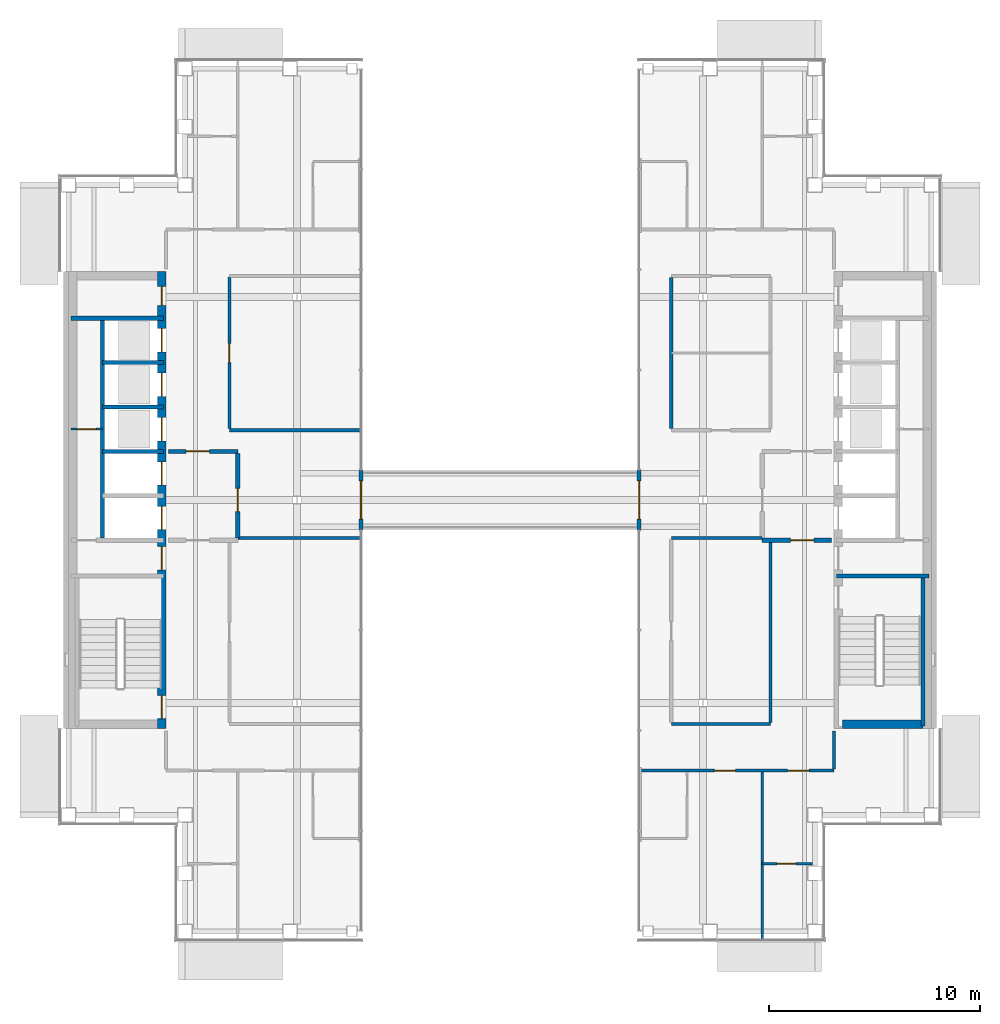
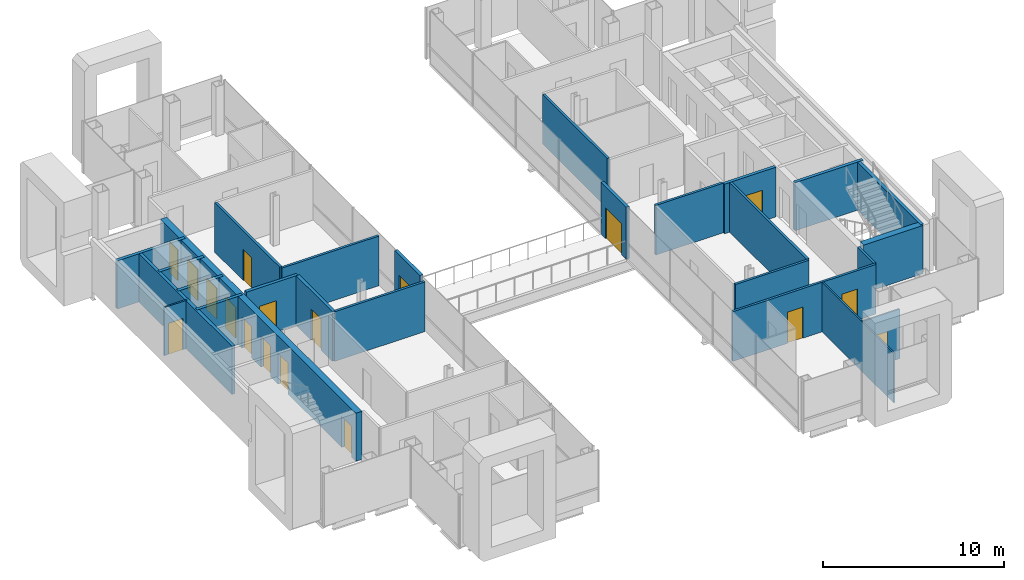
# One storey, part 11 of 17: 26 walls, 18 doors, 18 openings.
"""IFC4 building model written with IfcOpenShell, lengths in metres."""

from ifc_helpers import new_model, si_unit, direction, frame, frame_2d, origin, place, context, subcontext, project, spatial, rectangle, extrude, material, layer, layer_set, type_object, element, fill, save


model = new_model("IFC4")

# Units and contexts
model_context = context("Model", 3, precision=1e-05, world=origin(), true_north=direction((0.0, 1.0)))
body_context = subcontext(model_context, "Body", "Model", "MODEL_VIEW")
ifc_project = project(units=[si_unit("LENGTHUNIT", "METRE"), si_unit("AREAUNIT", "SQUARE_METRE"), si_unit("VOLUMEUNIT", "CUBIC_METRE"), si_unit("PLANEANGLEUNIT", "RADIAN"), si_unit("MASSUNIT", "GRAM", prefix="KILO")], contexts=[model_context])

# Site, building, storey
site_placement = place(None, origin())
site = spatial("IfcSite", under=ifc_project, at=site_placement, CompositionType="ELEMENT")
building_placement = place(site_placement, origin())
building = spatial("IfcBuilding", under=site, at=building_placement, Name="Cobrizo Arcos Hotel Tower", CompositionType="ELEMENT")
storey_placement = place(building_placement, frame((0.0, 0.0, 226.0)))
storey = spatial("IfcBuildingStorey", under=building, at=storey_placement, Name="L59", CompositionType="ELEMENT", Elevation=226.0)

# Wall, openings, doors
ifc_material_1 = material(Name="Gypsum board partition")
ifc_layer_1 = layer(ifc_material_1, 0.14990234375)
ifc_layer_set_1 = layer_set([ifc_layer_1], Name="Corridor wall EI 60 150")
wall_type_1 = type_object("IfcWallType", Name="Corridor wall EI 60 150", PredefinedType="PARTITIONING", material=ifc_layer_set_1)
wall_1_placement = place(storey_placement, frame((6.64990234375, -12.800048828125, 0.0), z_axis=(0.0, 0.0, 1.0), x_axis=(1.0, 0.0, 0.0)))
wall_1 = element("IfcWall", 1, at=wall_1_placement, inside=storey, type_object=wall_type_1, Name="Partition 006", PredefinedType="PARTITIONING", context=body_context, shape_type="SweptSolid", body=[
    extrude(rectangle(XDim=9.150146484375, YDim=0.14990234375, at=frame_2d((4.5751953125, 0.0))), origin(), (0.0, 0.0, 1.0), 3.35009765625),
])
opening_1_placement = place(wall_1_placement, frame((3.48291015625, 0.0, 0.0)))
opening_1 = element("IfcOpeningElement", 2, at=opening_1_placement, cuts=wall_1, Name="Opening GD-03", PredefinedType="OPENING", context=body_context, shape_type="SweptSolid", body=[
    extrude(rectangle(XDim=1.0, YDim=2.10009765625, at=frame_2d((0.5, 1.050048828125))), frame((0.0, 0.0869140625, 0.0), z_axis=(0.0, -1.0, 0.0), x_axis=(1.0, 0.0, 0.0)), (0.0, 0.0, 1.0), 0.173828125),
])
opening_2_placement = place(wall_1_placement, frame((6.9580078125, 0.0, 0.0)))
opening_2 = element("IfcOpeningElement", 3, at=opening_2_placement, cuts=wall_1, Name="Opening GD-07", PredefinedType="OPENING", context=body_context, shape_type="SweptSolid", body=[
    extrude(rectangle(XDim=1.0, YDim=2.10009765625, at=frame_2d((0.5, 1.050048828125))), frame((0.0, 0.0869140625, 0.0), z_axis=(0.0, -1.0, 0.0), x_axis=(1.0, 0.0, 0.0)), (0.0, 0.0, 1.0), 0.173828125),
])
ifc_material_2 = material(Name="Timber door leaf", Category="wood")
door_type_1 = type_object("IfcDoorType", Name="Guest room door FD30S 1000x2100", OperationType="SINGLE_SWING_LEFT", PredefinedType="DOOR", material=ifc_material_2)
door_1_placement = place(opening_1_placement, origin())
door_1 = element("IfcDoor", 4, at=door_1_placement, inside=storey, type_object=door_type_1, Name="Door GD-03", OperationType="SINGLE_SWING_RIGHT", OverallHeight=2.10009765625, OverallWidth=1.0, PredefinedType="DOOR", context=body_context, shape_type="SweptSolid", body=[
    extrude(rectangle(XDim=1.0, YDim=2.10009765625, at=frame_2d((0.5, 1.050048828125))), frame((0.0, 0.02490234375, 0.0), z_axis=(0.0, -1.0, 0.0), x_axis=(1.0, 0.0, 0.0)), (0.0, 0.0, 1.0), 0.050048828125),
])
fill(opening_1, door_1)
door_2_placement = place(opening_2_placement, origin())
door_2 = element("IfcDoor", 5, at=door_2_placement, inside=storey, type_object=door_type_1, Name="Door GD-07", OperationType="SINGLE_SWING_LEFT", OverallHeight=2.10009765625, OverallWidth=1.0, PredefinedType="DOOR", context=body_context, shape_type="SweptSolid", body=[
    extrude(rectangle(XDim=1.0, YDim=2.10009765625, at=frame_2d((0.5, 1.050048828125))), frame((0.0, 0.02490234375, 0.0), z_axis=(0.0, -1.0, 0.0), x_axis=(1.0, 0.0, 0.0)), (0.0, 0.0, 1.0), 0.050048828125),
])
fill(opening_2, door_2)

# Walls
wall_2_placement = place(storey_placement, frame((8.10009765625, -10.60009765625, 0.0), z_axis=(0.0, 0.0, 1.0), x_axis=(1.0, 0.0, 0.0)))
element("IfcWall", 6, at=wall_2_placement, inside=storey, type_object=wall_type_1, Name="Partition 008", PredefinedType="PARTITIONING", context=body_context, shape_type="SweptSolid", body=[
    extrude(rectangle(XDim=4.699951171875, YDim=0.14990234375, at=frame_2d((2.35009765625, 0.0))), origin(), (0.0, 0.0, 1.0), 3.35009765625),
])
wall_3_placement = place(storey_placement, frame((-12.39990234375, -1.800048828125, 0.0), z_axis=(0.0, 0.0, 1.0), x_axis=(1.0, 0.0, 0.0)))
element("IfcWall", 7, at=wall_3_placement, inside=storey, type_object=wall_type_1, Name="Partition 015", PredefinedType="PARTITIONING", context=body_context, shape_type="SweptSolid", body=[
    extrude(rectangle(XDim=5.77978515625, YDim=0.14990234375, at=frame_2d((2.889892578125, 0.0))), origin(), (0.0, 0.0, 1.0), 3.35009765625),
])
wall_4_placement = place(storey_placement, frame((8.10009765625, -1.800048828125, 0.0), z_axis=(0.0, 0.0, 1.0), x_axis=(1.0, 0.0, 0.0)))
element("IfcWall", 8, at=wall_4_placement, inside=storey, type_object=wall_type_1, Name="Partition 016", PredefinedType="PARTITIONING", context=body_context, shape_type="SweptSolid", body=[
    extrude(rectangle(XDim=4.2998046875, YDim=0.14990234375, at=frame_2d((2.14990234375, 0.0))), origin(), (0.0, 0.0, 1.0), 3.35009765625),
])
wall_5_placement = place(storey_placement, frame((-12.800048828125, 3.300048828125, 0.0), z_axis=(0.0, 0.0, 1.0), x_axis=(1.0, 0.0, 0.0)))
element("IfcWall", 9, at=wall_5_placement, inside=storey, type_object=wall_type_1, Name="Partition 023", PredefinedType="PARTITIONING", context=body_context, shape_type="SweptSolid", body=[
    extrude(rectangle(XDim=6.179931640625, YDim=0.14990234375, at=frame_2d((3.08984375, 0.0))), origin(), (0.0, 0.0, 1.0), 3.35009765625),
])

# Wall, opening, door
wall_6_placement = place(storey_placement, frame((-12.800048828125, 3.375, 0.0), z_axis=(0.0, 0.0, 1.0), x_axis=(0.0, 1.0, 0.0)))
wall_6 = element("IfcWall", 10, at=wall_6_placement, inside=storey, type_object=wall_type_1, Name="Partition 047", PredefinedType="PARTITIONING", context=body_context, shape_type="SweptSolid", body=[
    extrude(rectangle(XDim=7.175048828125, YDim=0.14990234375, at=frame_2d((3.58740234375, 0.0))), origin(), (0.0, 0.0, 1.0), 3.35009765625),
])
opening_3_placement = place(wall_6_placement, frame((3.125, 0.0, 0.0)))
opening_3 = element("IfcOpeningElement", 11, at=opening_3_placement, cuts=wall_6, Name="Opening RD-08", PredefinedType="OPENING", context=body_context, shape_type="SweptSolid", body=[
    extrude(rectangle(XDim=0.89990234375, YDim=2.10009765625, at=frame_2d((0.449951171875, 1.050048828125))), frame((0.0, 0.0869140625, 0.0), z_axis=(0.0, -1.0, 0.0), x_axis=(1.0, 0.0, 0.0)), (0.0, 0.0, 1.0), 0.173828125),
])
door_type_2 = type_object("IfcDoorType", Name="Room door FD30 900x2100", OperationType="SINGLE_SWING_LEFT", PredefinedType="DOOR", material=ifc_material_2)
door_3_placement = place(opening_3_placement, origin())
door_3 = element("IfcDoor", 12, at=door_3_placement, inside=storey, type_object=door_type_2, Name="Door RD-08", OperationType="SINGLE_SWING_RIGHT", OverallHeight=2.10009765625, OverallWidth=0.89990234375, PredefinedType="DOOR", context=body_context, shape_type="SweptSolid", body=[
    extrude(rectangle(XDim=0.89990234375, YDim=2.10009765625, at=frame_2d((0.449951171875, 1.050048828125))), frame((0.0, 0.02490234375, 0.0), z_axis=(0.0, -1.0, 0.0), x_axis=(1.0, 0.0, 0.0)), (0.0, 0.0, 1.0), 0.050048828125),
])
fill(opening_3, door_3)

# Walls
wall_7_placement = place(storey_placement, frame((8.10009765625, 3.375, 0.0), z_axis=(0.0, 0.0, 1.0), x_axis=(0.0, 1.0, 0.0)))
element("IfcWall", 13, at=wall_7_placement, inside=storey, type_object=wall_type_1, Name="Partition 058", PredefinedType="PARTITIONING", context=body_context, shape_type="SweptSolid", body=[
    extrude(rectangle(XDim=7.14990234375, YDim=0.14990234375, at=frame_2d((3.574951171875, 0.0))), origin(), (0.0, 0.0, 1.0), 3.35009765625),
])
wall_8_placement = place(storey_placement, frame((12.800048828125, -10.52490234375, 0.0), z_axis=(0.0, 0.0, 1.0), x_axis=(0.0, 1.0, 0.0)))
element("IfcWall", 14, at=wall_8_placement, inside=storey, type_object=wall_type_1, Name="Partition 064", PredefinedType="PARTITIONING", context=body_context, shape_type="SweptSolid", body=[
    extrude(rectangle(XDim=8.52490234375, YDim=0.14990234375, at=frame_2d((4.262451171875, 0.0))), origin(), (0.0, 0.0, 1.0), 3.35009765625),
])
wall_9_placement = place(storey_placement, frame((15.800048828125, -12.72509765625, 0.0), z_axis=(0.0, 0.0, 1.0), x_axis=(0.0, 1.0, 0.0)))
element("IfcWall", 15, at=wall_9_placement, inside=storey, type_object=wall_type_1, Name="Partition 066", PredefinedType="PARTITIONING", context=body_context, shape_type="SweptSolid", body=[
    extrude(rectangle(XDim=1.80517578125, YDim=0.14990234375, at=frame_2d((0.902587890625, 0.0))), origin(), (0.0, 0.0, 1.0), 3.35009765625),
])

# Wall, opening, door
ifc_material_3 = material(Name="Aluminium 6063-T6 anodised pale", Category="aluminium")
ifc_layer_2 = layer(ifc_material_3, 0.199951171875)
ifc_layer_set_2 = layer_set([ifc_layer_2], Name="EW-4 sky bridge door frame wall")
wall_type_2 = type_object("IfcWallType", Name="EW-4 sky bridge door frame wall", PredefinedType="SOLIDWALL", material=ifc_layer_set_2)
wall_10_placement = place(storey_placement, frame((6.574951171875, -1.39990234375, 0.0), z_axis=(0.0, 0.0, 1.0), x_axis=(0.0, 1.0, 0.0)))
wall_10 = element("IfcWall", 16, at=wall_10_placement, inside=storey, type_object=wall_type_2, Name="Sky bridge door wall C E", PredefinedType="SOLIDWALL", context=body_context, shape_type="SweptSolid", body=[
    extrude(rectangle(XDim=2.7998046875, YDim=0.199951171875, at=frame_2d((1.39990234375, 0.0))), origin(), (0.0, 0.0, 1.0), 3.5),
])
opening_4_placement = place(wall_10_placement, frame((0.5, 0.0, 0.0)))
opening_4 = element("IfcOpeningElement", 17, at=opening_4_placement, cuts=wall_10, Name="Opening E-60", PredefinedType="OPENING", context=body_context, shape_type="SweptSolid", body=[
    extrude(rectangle(XDim=1.800048828125, YDim=2.10009765625, at=frame_2d((0.89990234375, 1.050048828125))), frame((0.0, 0.112060546875, 0.0), z_axis=(0.0, -1.0, 0.0), x_axis=(1.0, 0.0, 0.0)), (0.0, 0.0, 1.0), 0.223876953125),
])
ifc_material_4 = material(Name="Aluminium 6063-T6 and clear laminated glass", Category="aluminium")
door_type_3 = type_object("IfcDoorType", Name="D-B1 sky bridge double door 1800x2100", OperationType="DOUBLE_DOOR_DOUBLE_SWING", PredefinedType="DOOR", material=ifc_material_4)
door_4_placement = place(opening_4_placement, origin())
door_4 = element("IfcDoor", 18, at=door_4_placement, inside=storey, type_object=door_type_3, Name="Sky bridge door wall C E door E-60", OperationType="DOUBLE_DOOR_DOUBLE_SWING", OverallHeight=2.10009765625, OverallWidth=1.800048828125, PredefinedType="DOOR", context=body_context, shape_type="SweptSolid", body=[
    extrude(rectangle(XDim=1.800048828125, YDim=2.10009765625, at=frame_2d((0.89990234375, 1.050048828125))), frame((0.0, 0.02490234375, 0.0), z_axis=(0.0, -1.0, 0.0), x_axis=(1.0, 0.0, 0.0)), (0.0, 0.0, 1.0), 0.050048828125),
])
fill(opening_4, door_4)

wall_11_placement = place(storey_placement, frame((-6.574951171875, -1.39990234375, 0.0), z_axis=(0.0, 0.0, 1.0), x_axis=(0.0, 1.0, 0.0)))
wall_11 = element("IfcWall", 19, at=wall_11_placement, inside=storey, type_object=wall_type_2, Name="Sky bridge door wall C W", PredefinedType="SOLIDWALL", context=body_context, shape_type="SweptSolid", body=[
    extrude(rectangle(XDim=2.7998046875, YDim=0.199951171875, at=frame_2d((1.39990234375, 0.0))), origin(), (0.0, 0.0, 1.0), 3.5),
])
opening_5_placement = place(wall_11_placement, frame((0.5, 0.0, 0.0)))
opening_5 = element("IfcOpeningElement", 20, at=opening_5_placement, cuts=wall_11, Name="Opening E-61", PredefinedType="OPENING", context=body_context, shape_type="SweptSolid", body=[
    extrude(rectangle(XDim=1.800048828125, YDim=2.10009765625, at=frame_2d((0.89990234375, 1.050048828125))), frame((0.0, 0.112060546875, 0.0), z_axis=(0.0, -1.0, 0.0), x_axis=(1.0, 0.0, 0.0)), (0.0, 0.0, 1.0), 0.223876953125),
])
door_5_placement = place(opening_5_placement, origin())
door_5 = element("IfcDoor", 21, at=door_5_placement, inside=storey, type_object=door_type_3, Name="Sky bridge door wall C W door E-61", OperationType="DOUBLE_DOOR_DOUBLE_SWING", OverallHeight=2.10009765625, OverallWidth=1.800048828125, PredefinedType="DOOR", context=body_context, shape_type="SweptSolid", body=[
    extrude(rectangle(XDim=1.800048828125, YDim=2.10009765625, at=frame_2d((0.89990234375, 1.050048828125))), frame((0.0, 0.02490234375, 0.0), z_axis=(0.0, -1.0, 0.0), x_axis=(1.0, 0.0, 0.0)), (0.0, 0.0, 1.0), 0.050048828125),
])
fill(opening_5, door_5)

ifc_layer_3 = layer(ifc_material_1, 0.10009765625)
ifc_layer_set_3 = layer_set([ifc_layer_3], Name="Partition EI 30 100")
wall_type_3 = type_object("IfcWallType", Name="Partition EI 30 100", PredefinedType="PARTITIONING", material=ifc_layer_set_3)
wall_12_placement = place(storey_placement, frame((12.39990234375, -17.199951171875, 0.0), z_axis=(0.0, 0.0, 1.0), x_axis=(1.0, 0.0, 0.0)))
wall_12 = element("IfcWall", 22, at=wall_12_placement, inside=storey, type_object=wall_type_3, Name="Partition 002", PredefinedType="PARTITIONING", context=body_context, shape_type="SweptSolid", body=[
    extrude(rectangle(XDim=2.380126953125, YDim=0.10009765625, at=frame_2d((1.18994140625, 0.0))), origin(), (0.0, 0.0, 1.0), 3.35009765625),
])
opening_6_placement = place(wall_12_placement, frame((0.705078125, 0.0, 0.0)))
opening_6 = element("IfcOpeningElement", 23, at=opening_6_placement, cuts=wall_12, Name="Opening ED-07", PredefinedType="OPENING", context=body_context, shape_type="SweptSolid", body=[
    extrude(rectangle(XDim=0.89990234375, YDim=2.10009765625, at=frame_2d((0.449951171875, 1.050048828125))), frame((0.0, 0.06201171875, 0.0), z_axis=(0.0, -1.0, 0.0), x_axis=(1.0, 0.0, 0.0)), (0.0, 0.0, 1.0), 0.1240234375),
])
door_type_4 = type_object("IfcDoorType", Name="En-suite door 900x2100", OperationType="SINGLE_SWING_LEFT", PredefinedType="DOOR", material=ifc_material_2)
door_6_placement = place(opening_6_placement, origin())
door_6 = element("IfcDoor", 24, at=door_6_placement, inside=storey, type_object=door_type_4, Name="Door ED-07", OperationType="SINGLE_SWING_RIGHT", OverallHeight=2.10009765625, OverallWidth=0.89990234375, PredefinedType="DOOR", context=body_context, shape_type="SweptSolid", body=[
    extrude(rectangle(XDim=0.89990234375, YDim=2.10009765625, at=frame_2d((0.449951171875, 1.050048828125))), frame((0.0, 0.02490234375, 0.0), z_axis=(0.0, -1.0, 0.0), x_axis=(1.0, 0.0, 0.0)), (0.0, 0.0, 1.0), 0.050048828125),
])
fill(opening_6, door_6)

wall_13_placement = place(storey_placement, frame((-20.280029296875, 3.35009765625, 0.0), z_axis=(0.0, 0.0, 1.0), x_axis=(1.0, 0.0, 0.0)))
wall_13 = element("IfcWall", 25, at=wall_13_placement, inside=storey, type_object=wall_type_3, Name="Partition 025", PredefinedType="PARTITIONING", context=body_context, shape_type="SweptSolid", body=[
    extrude(rectangle(XDim=1.47998046875, YDim=0.10009765625, at=frame_2d((0.739990234375, 0.0))), origin(), (0.0, 0.0, 1.0), 3.25),
])
opening_7_placement = place(wall_13_placement, frame((0.280029296875, 0.0, 0.0)))
opening_7 = element("IfcOpeningElement", 26, at=opening_7_placement, cuts=wall_13, Name="Opening RD-03", PredefinedType="OPENING", context=body_context, shape_type="SweptSolid", body=[
    extrude(rectangle(XDim=0.89990234375, YDim=2.10009765625, at=frame_2d((0.449951171875, 1.050048828125))), frame((0.0, 0.06201171875, 0.0), z_axis=(0.0, -1.0, 0.0), x_axis=(1.0, 0.0, 0.0)), (0.0, 0.0, 1.0), 0.1240234375),
])
door_7_placement = place(opening_7_placement, origin())
door_7 = element("IfcDoor", 27, at=door_7_placement, inside=storey, type_object=door_type_2, Name="Door RD-03", OperationType="SINGLE_SWING_LEFT", OverallHeight=2.10009765625, OverallWidth=0.89990234375, PredefinedType="DOOR", context=body_context, shape_type="SweptSolid", body=[
    extrude(rectangle(XDim=0.89990234375, YDim=2.10009765625, at=frame_2d((0.449951171875, 1.050048828125))), frame((0.0, 0.02490234375, 0.0), z_axis=(0.0, -1.0, 0.0), x_axis=(1.0, 0.0, 0.0)), (0.0, 0.0, 1.0), 0.050048828125),
])
fill(opening_7, door_7)

# Walls
wall_14_placement = place(storey_placement, frame((12.39990234375, -20.780029296875, 0.0), z_axis=(0.0, 0.0, 1.0), x_axis=(0.0, 1.0, 0.0)))
element("IfcWall", 28, at=wall_14_placement, inside=storey, type_object=wall_type_3, Name="Partition 061", PredefinedType="PARTITIONING", context=body_context, shape_type="SweptSolid", body=[
    extrude(rectangle(XDim=7.905029296875, YDim=0.10009765625, at=frame_2d((3.95263671875, 0.0))), origin(), (0.0, 0.0, 1.0), 3.35009765625),
])
ifc_material_5 = material(Name="Concrete f'c 40 MPa", Category="concrete")
ifc_layer_4 = layer(ifc_material_5, 0.39990234375)
ifc_layer_set_4 = layer_set([ifc_layer_4], Name="RC core wall 400 f'c 40")
wall_type_4 = type_object("IfcWallType", Name="RC core wall 400 f'c 40", PredefinedType="SHEAR", material=ifc_layer_set_4)
wall_15_placement = place(storey_placement, frame((16.199951171875, -10.60009765625, 0.0), z_axis=(0.0, 0.0, 1.0), x_axis=(1.0, 0.0, 0.0)))
element("IfcWall", 29, at=wall_15_placement, inside=storey, type_object=wall_type_4, Name="Core wall CW4, east core, south end, L59", PredefinedType="SHEAR", context=body_context, shape_type="SweptSolid", body=[
    extrude(rectangle(XDim=3.800048828125, YDim=0.39990234375, at=frame_2d((1.89990234375, 0.0))), origin(), (0.0, 0.0, 1.0), 3.25),
])

# Wall, openings, doors
wall_16_placement = place(storey_placement, frame((-16.0, -10.800048828125, 0.0), z_axis=(0.0, 0.0, 1.0), x_axis=(0.0, 1.0, 0.0)))
wall_16 = element("IfcWall", 30, at=wall_16_placement, inside=storey, type_object=wall_type_4, Name="Core wall CW4, west core, inner face, L59", PredefinedType="SHEAR", context=body_context, shape_type="SweptSolid", body=[
    extrude(rectangle(XDim=21.60009765625, YDim=0.39990234375, at=frame_2d((10.800048828125, 0.0))), origin(), (0.0, 0.0, 1.0), 3.25),
])
opening_8_placement = place(wall_16_placement, frame((9.39990234375, 0.0, 0.0)))
opening_8 = element("IfcOpeningElement", 31, at=opening_8_placement, cuts=wall_16, Name="Opening LD-01", PredefinedType="OPENING", context=body_context, shape_type="SweptSolid", body=[
    extrude(rectangle(XDim=1.10009765625, YDim=2.10009765625, at=frame_2d((0.550048828125, 1.050048828125))), frame((0.0, 0.2119140625, 0.0), z_axis=(0.0, -1.0, 0.0), x_axis=(1.0, 0.0, 0.0)), (0.0, 0.0, 1.0), 0.423828125),
])
opening_9_placement = place(wall_16_placement, frame((11.5, 0.0, 0.0)))
opening_9 = element("IfcOpeningElement", 32, at=opening_9_placement, cuts=wall_16, Name="Opening LD-02", PredefinedType="OPENING", context=body_context, shape_type="SweptSolid", body=[
    extrude(rectangle(XDim=1.10009765625, YDim=2.10009765625, at=frame_2d((0.550048828125, 1.050048828125))), frame((0.0, 0.2119140625, 0.0), z_axis=(0.0, -1.0, 0.0), x_axis=(1.0, 0.0, 0.0)), (0.0, 0.0, 1.0), 0.423828125),
])
opening_10_placement = place(wall_16_placement, frame((13.60009765625, 0.0, 0.0)))
opening_10 = element("IfcOpeningElement", 33, at=opening_10_placement, cuts=wall_16, Name="Opening LD-03", PredefinedType="OPENING", context=body_context, shape_type="SweptSolid", body=[
    extrude(rectangle(XDim=1.10009765625, YDim=2.10009765625, at=frame_2d((0.550048828125, 1.050048828125))), frame((0.0, 0.2119140625, 0.0), z_axis=(0.0, -1.0, 0.0), x_axis=(1.0, 0.0, 0.0)), (0.0, 0.0, 1.0), 0.423828125),
])
opening_11_placement = place(wall_16_placement, frame((15.699951171875, 0.0, 0.0)))
opening_11 = element("IfcOpeningElement", 34, at=opening_11_placement, cuts=wall_16, Name="Opening LD-04", PredefinedType="OPENING", context=body_context, shape_type="SweptSolid", body=[
    extrude(rectangle(XDim=1.10009765625, YDim=2.10009765625, at=frame_2d((0.550048828125, 1.050048828125))), frame((0.0, 0.2119140625, 0.0), z_axis=(0.0, -1.0, 0.0), x_axis=(1.0, 0.0, 0.0)), (0.0, 0.0, 1.0), 0.423828125),
])
opening_12_placement = place(wall_16_placement, frame((17.800048828125, 0.0, 0.0)))
opening_12 = element("IfcOpeningElement", 35, at=opening_12_placement, cuts=wall_16, Name="Opening LD-05", PredefinedType="OPENING", context=body_context, shape_type="SweptSolid", body=[
    extrude(rectangle(XDim=1.10009765625, YDim=2.10009765625, at=frame_2d((0.550048828125, 1.050048828125))), frame((0.0, 0.2119140625, 0.0), z_axis=(0.0, -1.0, 0.0), x_axis=(1.0, 0.0, 0.0)), (0.0, 0.0, 1.0), 0.423828125),
])
opening_13_placement = place(wall_16_placement, frame((0.4580078125, 0.0, 0.0)))
opening_13 = element("IfcOpeningElement", 36, at=opening_13_placement, cuts=wall_16, Name="Opening SD-01", PredefinedType="OPENING", context=body_context, shape_type="SweptSolid", body=[
    extrude(rectangle(XDim=1.10009765625, YDim=2.10009765625, at=frame_2d((0.550048828125, 1.050048828125))), frame((0.0, 0.2119140625, 0.0), z_axis=(0.0, -1.0, 0.0), x_axis=(1.0, 0.0, 0.0)), (0.0, 0.0, 1.0), 0.423828125),
])
opening_14_placement = place(wall_16_placement, frame((7.5, 0.0, 0.0)))
opening_14 = element("IfcOpeningElement", 37, at=opening_14_placement, cuts=wall_16, Name="Opening FD-01", PredefinedType="OPENING", context=body_context, shape_type="SweptSolid", body=[
    extrude(rectangle(XDim=1.10009765625, YDim=2.10009765625, at=frame_2d((0.550048828125, 1.050048828125))), frame((0.0, 0.2119140625, 0.0), z_axis=(0.0, -1.0, 0.0), x_axis=(1.0, 0.0, 0.0)), (0.0, 0.0, 1.0), 0.423828125),
])
opening_15_placement = place(wall_16_placement, frame((20.0, 0.0, 0.0)))
opening_15 = element("IfcOpeningElement", 38, at=opening_15_placement, cuts=wall_16, Name="Opening RD-01", PredefinedType="OPENING", context=body_context, shape_type="SweptSolid", body=[
    extrude(rectangle(XDim=0.89990234375, YDim=2.10009765625, at=frame_2d((0.449951171875, 1.050048828125))), frame((0.0, 0.2119140625, 0.0), z_axis=(0.0, -1.0, 0.0), x_axis=(1.0, 0.0, 0.0)), (0.0, 0.0, 1.0), 0.423828125),
])
ifc_material_6 = material(Name="Steel door leaf", Category="steel")
door_type_5 = type_object("IfcDoorType", Name="Fire door FD60 1100x2100", OperationType="SINGLE_SWING_LEFT", PredefinedType="DOOR", material=ifc_material_6)
door_8_placement = place(opening_14_placement, origin())
door_8 = element("IfcDoor", 39, at=door_8_placement, inside=storey, type_object=door_type_5, Name="Door FD-01", OperationType="SINGLE_SWING_LEFT", OverallHeight=2.10009765625, OverallWidth=1.10009765625, PredefinedType="DOOR", context=body_context, shape_type="SweptSolid", body=[
    extrude(rectangle(XDim=1.10009765625, YDim=2.10009765625, at=frame_2d((0.550048828125, 1.050048828125))), frame((0.0, 0.02490234375, 0.0), z_axis=(0.0, -1.0, 0.0), x_axis=(1.0, 0.0, 0.0)), (0.0, 0.0, 1.0), 0.050048828125),
])
fill(opening_14, door_8)
door_type_6 = type_object("IfcDoorType", Name="Lift landing door 1100x2100", OperationType="SLIDING_TO_LEFT", PredefinedType="DOOR", material=ifc_material_6)
door_9_placement = place(opening_8_placement, origin())
door_9 = element("IfcDoor", 40, at=door_9_placement, inside=storey, type_object=door_type_6, Name="Lift landing door LD-01", OperationType="SLIDING_TO_LEFT", OverallHeight=2.10009765625, OverallWidth=1.10009765625, PredefinedType="DOOR", context=body_context, shape_type="SweptSolid", body=[
    extrude(rectangle(XDim=1.10009765625, YDim=2.10009765625, at=frame_2d((0.550048828125, 1.050048828125))), frame((0.0, 0.02490234375, 0.0), z_axis=(0.0, -1.0, 0.0), x_axis=(1.0, 0.0, 0.0)), (0.0, 0.0, 1.0), 0.050048828125),
])
fill(opening_8, door_9)
door_10_placement = place(opening_9_placement, origin())
door_10 = element("IfcDoor", 41, at=door_10_placement, inside=storey, type_object=door_type_6, Name="Lift landing door LD-02", OperationType="SLIDING_TO_LEFT", OverallHeight=2.10009765625, OverallWidth=1.10009765625, PredefinedType="DOOR", context=body_context, shape_type="SweptSolid", body=[
    extrude(rectangle(XDim=1.10009765625, YDim=2.10009765625, at=frame_2d((0.550048828125, 1.050048828125))), frame((0.0, 0.02490234375, 0.0), z_axis=(0.0, -1.0, 0.0), x_axis=(1.0, 0.0, 0.0)), (0.0, 0.0, 1.0), 0.050048828125),
])
fill(opening_9, door_10)
door_11_placement = place(opening_10_placement, origin())
door_11 = element("IfcDoor", 42, at=door_11_placement, inside=storey, type_object=door_type_6, Name="Lift landing door LD-03", OperationType="SLIDING_TO_LEFT", OverallHeight=2.10009765625, OverallWidth=1.10009765625, PredefinedType="DOOR", context=body_context, shape_type="SweptSolid", body=[
    extrude(rectangle(XDim=1.10009765625, YDim=2.10009765625, at=frame_2d((0.550048828125, 1.050048828125))), frame((0.0, 0.02490234375, 0.0), z_axis=(0.0, -1.0, 0.0), x_axis=(1.0, 0.0, 0.0)), (0.0, 0.0, 1.0), 0.050048828125),
])
fill(opening_10, door_11)
door_12_placement = place(opening_11_placement, origin())
door_12 = element("IfcDoor", 43, at=door_12_placement, inside=storey, type_object=door_type_6, Name="Lift landing door LD-04", OperationType="SLIDING_TO_LEFT", OverallHeight=2.10009765625, OverallWidth=1.10009765625, PredefinedType="DOOR", context=body_context, shape_type="SweptSolid", body=[
    extrude(rectangle(XDim=1.10009765625, YDim=2.10009765625, at=frame_2d((0.550048828125, 1.050048828125))), frame((0.0, 0.02490234375, 0.0), z_axis=(0.0, -1.0, 0.0), x_axis=(1.0, 0.0, 0.0)), (0.0, 0.0, 1.0), 0.050048828125),
])
fill(opening_11, door_12)
door_13_placement = place(opening_12_placement, origin())
door_13 = element("IfcDoor", 44, at=door_13_placement, inside=storey, type_object=door_type_6, Name="Lift landing door LD-05", OperationType="SLIDING_TO_LEFT", OverallHeight=2.10009765625, OverallWidth=1.10009765625, PredefinedType="DOOR", context=body_context, shape_type="SweptSolid", body=[
    extrude(rectangle(XDim=1.10009765625, YDim=2.10009765625, at=frame_2d((0.550048828125, 1.050048828125))), frame((0.0, 0.02490234375, 0.0), z_axis=(0.0, -1.0, 0.0), x_axis=(1.0, 0.0, 0.0)), (0.0, 0.0, 1.0), 0.050048828125),
])
fill(opening_12, door_13)
door_14_placement = place(opening_15_placement, origin())
door_14 = element("IfcDoor", 45, at=door_14_placement, inside=storey, type_object=door_type_2, Name="Door RD-01", OperationType="SINGLE_SWING_RIGHT", OverallHeight=2.10009765625, OverallWidth=0.89990234375, PredefinedType="DOOR", context=body_context, shape_type="SweptSolid", body=[
    extrude(rectangle(XDim=0.89990234375, YDim=2.10009765625, at=frame_2d((0.449951171875, 1.050048828125))), frame((0.0, 0.02490234375, 0.0), z_axis=(0.0, -1.0, 0.0), x_axis=(1.0, 0.0, 0.0)), (0.0, 0.0, 1.0), 0.050048828125),
])
fill(opening_15, door_14)
door_type_7 = type_object("IfcDoorType", Name="Stair door FD60S 1100x2100", OperationType="SINGLE_SWING_LEFT", PredefinedType="DOOR", material=ifc_material_6)
door_15_placement = place(opening_13_placement, origin())
door_15 = element("IfcDoor", 46, at=door_15_placement, inside=storey, type_object=door_type_7, Name="Door SD-01", OperationType="SINGLE_SWING_LEFT", OverallHeight=2.10009765625, OverallWidth=1.10009765625, PredefinedType="DOOR", context=body_context, shape_type="SweptSolid", body=[
    extrude(rectangle(XDim=1.10009765625, YDim=2.10009765625, at=frame_2d((0.550048828125, 1.050048828125))), frame((0.0, 0.02490234375, 0.0), z_axis=(0.0, -1.0, 0.0), x_axis=(1.0, 0.0, 0.0)), (0.0, 0.0, 1.0), 0.050048828125),
])
fill(opening_13, door_15)

# Wall, opening, door
ifc_layer_5 = layer(ifc_material_1, 0.199951171875)
ifc_layer_set_5 = layer_set([ifc_layer_5], Name="Shaft wall EI 120 200")
wall_type_5 = type_object("IfcWallType", Name="Shaft wall EI 120 200", PredefinedType="PARTITIONING", material=ifc_layer_set_5)
wall_17_placement = place(storey_placement, frame((12.39990234375, -1.89990234375, 0.0), z_axis=(0.0, 0.0, 1.0), x_axis=(1.0, 0.0, 0.0)))
wall_17 = element("IfcWall", 47, at=wall_17_placement, inside=storey, type_object=wall_type_5, Name="Partition 013", PredefinedType="PARTITIONING", context=body_context, shape_type="SweptSolid", body=[
    extrude(rectangle(XDim=3.280029296875, YDim=0.199951171875, at=frame_2d((1.64013671875, 0.0))), origin(), (0.0, 0.0, 1.0), 3.35009765625),
])
opening_16_placement = place(wall_17_placement, frame((1.340087890625, 0.0, 0.0)))
opening_16 = element("IfcOpeningElement", 48, at=opening_16_placement, cuts=wall_17, Name="Opening FD-07", PredefinedType="OPENING", context=body_context, shape_type="SweptSolid", body=[
    extrude(rectangle(XDim=1.10009765625, YDim=2.10009765625, at=frame_2d((0.550048828125, 1.050048828125))), frame((0.0, 0.112060546875, 0.0), z_axis=(0.0, -1.0, 0.0), x_axis=(1.0, 0.0, 0.0)), (0.0, 0.0, 1.0), 0.223876953125),
])
door_16_placement = place(opening_16_placement, origin())
door_16 = element("IfcDoor", 49, at=door_16_placement, inside=storey, type_object=door_type_5, Name="Door FD-07", OperationType="SINGLE_SWING_RIGHT", OverallHeight=2.10009765625, OverallWidth=1.10009765625, PredefinedType="DOOR", context=body_context, shape_type="SweptSolid", body=[
    extrude(rectangle(XDim=1.10009765625, YDim=2.10009765625, at=frame_2d((0.550048828125, 1.050048828125))), frame((0.0, 0.02490234375, 0.0), z_axis=(0.0, -1.0, 0.0), x_axis=(1.0, 0.0, 0.0)), (0.0, 0.0, 1.0), 0.050048828125),
])
fill(opening_16, door_16)

# Wall
wall_18_placement = place(storey_placement, frame((-18.800048828125, 2.300048828125, 0.0), z_axis=(0.0, 0.0, 1.0), x_axis=(1.0, 0.0, 0.0)))
element("IfcWall", 50, at=wall_18_placement, inside=storey, type_object=wall_type_5, Name="Partition 019", PredefinedType="PARTITIONING", context=body_context, shape_type="SweptSolid", body=[
    extrude(rectangle(XDim=2.880126953125, YDim=0.199951171875, at=frame_2d((1.43994140625, 0.0))), origin(), (0.0, 0.0, 1.0), 3.25),
])

# Wall, opening, door
wall_19_placement = place(storey_placement, frame((-15.679931640625, 2.300048828125, 0.0), z_axis=(0.0, 0.0, 1.0), x_axis=(1.0, 0.0, 0.0)))
wall_19 = element("IfcWall", 51, at=wall_19_placement, inside=storey, type_object=wall_type_5, Name="Partition 020", PredefinedType="PARTITIONING", context=body_context, shape_type="SweptSolid", body=[
    extrude(rectangle(XDim=3.280029296875, YDim=0.199951171875, at=frame_2d((1.64013671875, 0.0))), origin(), (0.0, 0.0, 1.0), 3.35009765625),
])
opening_17_placement = place(wall_19_placement, frame((0.840087890625, 0.0, 0.0)))
opening_17 = element("IfcOpeningElement", 52, at=opening_17_placement, cuts=wall_19, Name="Opening FD-04", PredefinedType="OPENING", context=body_context, shape_type="SweptSolid", body=[
    extrude(rectangle(XDim=1.10009765625, YDim=2.10009765625, at=frame_2d((0.550048828125, 1.050048828125))), frame((0.0, 0.112060546875, 0.0), z_axis=(0.0, -1.0, 0.0), x_axis=(1.0, 0.0, 0.0)), (0.0, 0.0, 1.0), 0.223876953125),
])
door_17_placement = place(opening_17_placement, origin())
door_17 = element("IfcDoor", 53, at=door_17_placement, inside=storey, type_object=door_type_5, Name="Door FD-04", OperationType="SINGLE_SWING_LEFT", OverallHeight=2.10009765625, OverallWidth=1.10009765625, PredefinedType="DOOR", context=body_context, shape_type="SweptSolid", body=[
    extrude(rectangle(XDim=1.10009765625, YDim=2.10009765625, at=frame_2d((0.550048828125, 1.050048828125))), frame((0.0, 0.02490234375, 0.0), z_axis=(0.0, -1.0, 0.0), x_axis=(1.0, 0.0, 0.0)), (0.0, 0.0, 1.0), 0.050048828125),
])
fill(opening_17, door_17)

# Walls
for number, where, z_axis, x_axis, name in (
    (54, (-18.800048828125, 4.39990234375, 0.0), (0.0, 0.0, 1.0), (1.0, 0.0, 0.0), "Partition 027"),
    (55, (-18.800048828125, 6.5, 0.0), (0.0, 0.0, 1.0), (1.0, 0.0, 0.0), "Partition 029"),
):
    element("IfcWall", number, at=place(storey_placement, frame(where, z_axis=z_axis, x_axis=x_axis)), inside=storey, type_object=wall_type_5, Name=name, PredefinedType="PARTITIONING", context=body_context, shape_type="SweptSolid", body=[
        extrude(rectangle(XDim=2.880126953125, YDim=0.199951171875, at=frame_2d((1.43994140625, 0.0))), origin(), (0.0, 0.0, 1.0), 3.25),
    ])
wall_20_placement = place(storey_placement, frame((-20.280029296875, 8.60009765625, 0.0), z_axis=(0.0, 0.0, 1.0), x_axis=(1.0, 0.0, 0.0)))
element("IfcWall", 56, at=wall_20_placement, inside=storey, type_object=wall_type_5, Name="Partition 032", PredefinedType="PARTITIONING", context=body_context, shape_type="SweptSolid", body=[
    extrude(rectangle(XDim=4.360107421875, YDim=0.199951171875, at=frame_2d((2.18017578125, 0.0))), origin(), (0.0, 0.0, 1.0), 3.25),
])
wall_21_placement = place(storey_placement, frame((-18.800048828125, -1.800048828125, 0.0), z_axis=(0.0, 0.0, 1.0), x_axis=(0.0, 1.0, 0.0)))
element("IfcWall", 57, at=wall_21_placement, inside=storey, type_object=wall_type_5, Name="Partition 043", PredefinedType="PARTITIONING", context=body_context, shape_type="SweptSolid", body=[
    extrude(rectangle(XDim=10.300048828125, YDim=0.199951171875, at=frame_2d((5.14990234375, 0.0))), origin(), (0.0, 0.0, 1.0), 3.25),
])

# Wall, opening, door
wall_22_placement = place(storey_placement, frame((-12.39990234375, -1.800048828125, 0.0), z_axis=(0.0, 0.0, 1.0), x_axis=(0.0, 1.0, 0.0)))
wall_22 = element("IfcWall", 58, at=wall_22_placement, inside=storey, type_object=wall_type_5, Name="Partition 049", PredefinedType="PARTITIONING", context=body_context, shape_type="SweptSolid", body=[
    extrude(rectangle(XDim=4.0, YDim=0.199951171875, at=frame_2d((2.0, 0.0))), origin(), (0.0, 0.0, 1.0), 3.35009765625),
])
opening_18_placement = place(wall_22_placement, frame((1.25, 0.0, 0.0)))
opening_18 = element("IfcOpeningElement", 59, at=opening_18_placement, cuts=wall_22, Name="Opening FD-02", PredefinedType="OPENING", context=body_context, shape_type="SweptSolid", body=[
    extrude(rectangle(XDim=1.10009765625, YDim=2.10009765625, at=frame_2d((0.550048828125, 1.050048828125))), frame((0.0, 0.112060546875, 0.0), z_axis=(0.0, -1.0, 0.0), x_axis=(1.0, 0.0, 0.0)), (0.0, 0.0, 1.0), 0.223876953125),
])
door_18_placement = place(opening_18_placement, origin())
door_18 = element("IfcDoor", 60, at=door_18_placement, inside=storey, type_object=door_type_5, Name="Door FD-02", OperationType="SINGLE_SWING_LEFT", OverallHeight=2.10009765625, OverallWidth=1.10009765625, PredefinedType="DOOR", context=body_context, shape_type="SweptSolid", body=[
    extrude(rectangle(XDim=1.10009765625, YDim=2.10009765625, at=frame_2d((0.550048828125, 1.050048828125))), frame((0.0, 0.02490234375, 0.0), z_axis=(0.0, -1.0, 0.0), x_axis=(1.0, 0.0, 0.0)), (0.0, 0.0, 1.0), 0.050048828125),
])
fill(opening_18, door_18)

# Walls
ifc_layer_6 = layer(ifc_material_5, 0.199951171875)
ifc_layer_set_6 = layer_set([ifc_layer_6], Name="Stair shaft wall 200")
wall_type_6 = type_object("IfcWallType", Name="Stair shaft wall 200", PredefinedType="SHEAR", material=ifc_layer_set_6)
wall_23_placement = place(storey_placement, frame((15.919921875, -3.60009765625, 0.0), z_axis=(0.0, 0.0, 1.0), x_axis=(1.0, 0.0, 0.0)))
element("IfcWall", 61, at=wall_23_placement, inside=storey, type_object=wall_type_6, Name="Stair shaft wall E", PredefinedType="SHEAR", context=body_context, shape_type="SweptSolid", body=[
    extrude(rectangle(XDim=4.360107421875, YDim=0.199951171875, at=frame_2d((2.18017578125, 0.0))), origin(), (0.0, 0.0, 1.0), 3.25),
])
wall_24_placement = place(storey_placement, frame((20.0, -10.679931640625, 0.0), z_axis=(0.0, 0.0, 1.0), x_axis=(0.0, 1.0, 0.0)))
element("IfcWall", 62, at=wall_24_placement, inside=storey, type_object=wall_type_6, Name="Stair shaft wall E", PredefinedType="SHEAR", context=body_context, shape_type="SweptSolid", body=[
    extrude(rectangle(XDim=6.97998046875, YDim=0.199951171875, at=frame_2d((3.489990234375, 0.0))), origin(), (0.0, 0.0, 1.0), 3.25),
])

save(model, "model.ifc")
